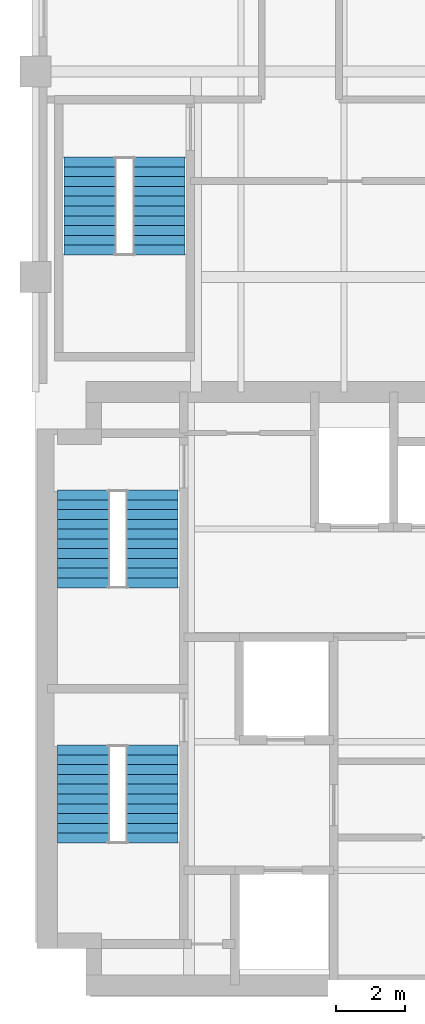
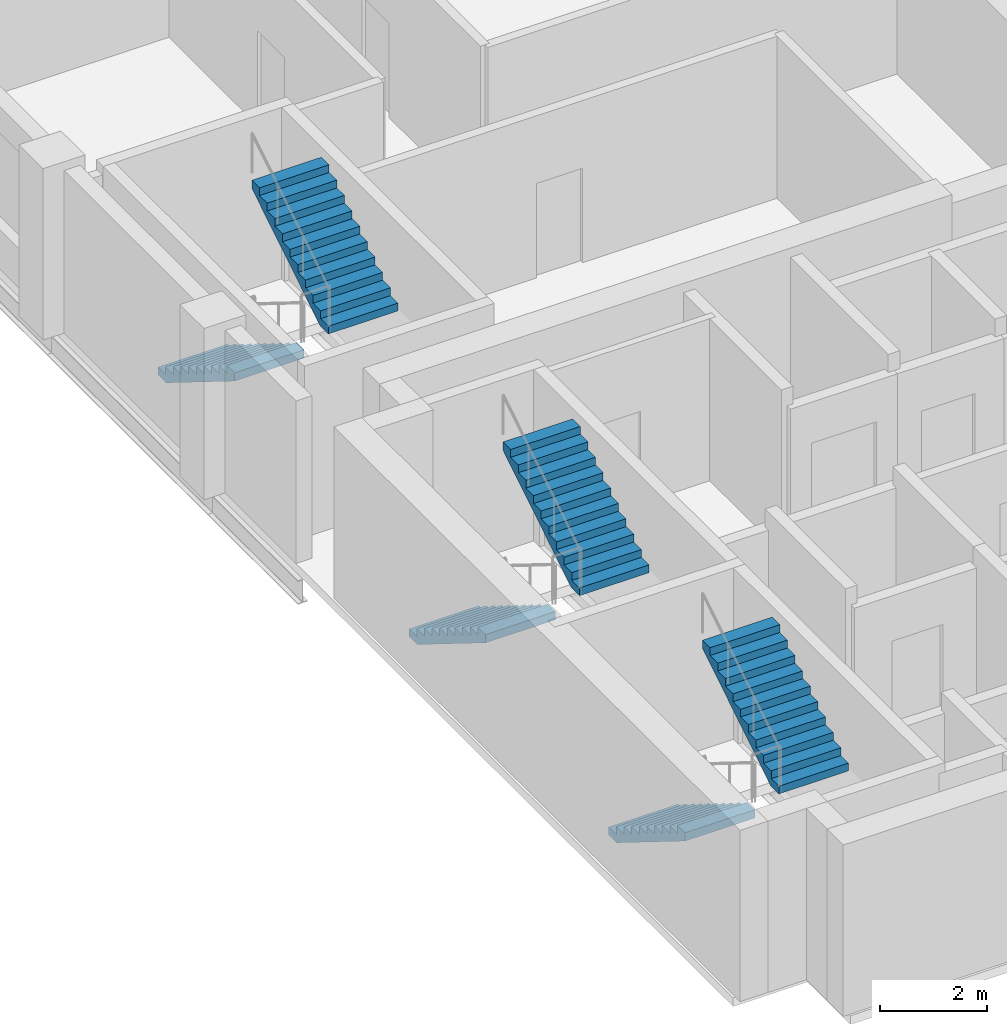
# One storey, part 5 of 6: 6 stair flights, 3 elements without a shape of their own.
"""IFC4 building model written with IfcOpenShell, lengths in metres."""

from ifc_helpers import new_model, si_unit, direction, frame, origin, place, context, subcontext, project, spatial, polyline, outline, extrude, material, type_object, element, aggregate, save


model = new_model("IFC4")

# Units and contexts
model_context = context("Model", 3, precision=1e-05, world=origin(), true_north=direction((0.0, 1.0)))
body_context = subcontext(model_context, "Body", "Model", "MODEL_VIEW")
ifc_project = project(units=[si_unit("LENGTHUNIT", "METRE"), si_unit("AREAUNIT", "SQUARE_METRE"), si_unit("VOLUMEUNIT", "CUBIC_METRE"), si_unit("PLANEANGLEUNIT", "RADIAN"), si_unit("MASSUNIT", "GRAM", prefix="KILO")], contexts=[model_context])

# Site, building, storey
site_placement = place(None, origin())
site = spatial("IfcSite", under=ifc_project, at=site_placement, CompositionType="ELEMENT")
building_placement = place(site_placement, origin())
building = spatial("IfcBuilding", under=site, at=building_placement, Name="Mawjdan Bourse Tower", CompositionType="ELEMENT")
storey_placement = place(building_placement, frame((0.0, 0.0, 183.89990234375)))
storey = spatial("IfcBuildingStorey", under=building, at=storey_placement, Name="L44", CompositionType="ELEMENT", Elevation=183.89990234375)

# Stair, stair flights
ifc_material = material(Name="Concrete C50/60", Category="concrete")
stair_type = type_object("IfcStairType", Name="STR-CORE-1500", PredefinedType="HALF_TURN_STAIR", material=ifc_material)
stair_1_placement = place(storey_placement, origin())
stair_1 = element("IfcStair", 1, at=stair_1_placement, inside=storey, type_object=stair_type, Name="L44 Exit Stair 1 (Core South-West)", PredefinedType="HALF_TURN_STAIR")
stair_flight_type = type_object("IfcStairFlightType", Name="SFL-RC-1500", PredefinedType="STRAIGHT", material=ifc_material)
stair_flight_1_placement = place(storey_placement, frame((7.389892578125, 10.35009765625, 0.0), z_axis=(0.0, 0.0, 1.0), x_axis=(0.0, -1.0, 0.0)))
stair_flight_1 = element("IfcStairFlight", 2, at=stair_flight_1_placement, type_object=stair_flight_type, Name="ST1-L44 flight 1", NumberOfRisers=11, NumberOfTreads=10, PredefinedType="STRAIGHT", RiserHeight=0.177273, TreadLength=0.285, context=body_context, shape_type="SweptSolid", body=[
    extrude(outline(polyline([(0.0, 0.0), (0.0, 0.17724609375), (0.284912109375, 0.17724609375), (0.284912109375, 0.3544921875), (0.570068359375, 0.3544921875), (0.570068359375, 0.53173828125), (0.85498046875, 0.53173828125), (0.85498046875, 0.708984375), (1.139892578125, 0.708984375), (1.139892578125, 0.886474609375), (1.425048828125, 0.886474609375), (1.425048828125, 1.063720703125), (1.7099609375, 1.063720703125), (1.7099609375, 1.240966796875), (1.9951171875, 1.240966796875), (1.9951171875, 1.418212890625), (2.280029296875, 1.418212890625), (2.280029296875, 1.595458984375), (2.56494140625, 1.595458984375), (2.56494140625, 1.772705078125), (2.85009765625, 1.772705078125), (2.85009765625, 1.949951171875), (2.85009765625, 1.58447265625), (0.302734375, 0.0), (0.0, 0.0)])), frame((0.0, 0.75, 0.0), z_axis=(0.0, -1.0, 0.0), x_axis=(1.0, 0.0, 0.0)), (0.0, 0.0, 1.0), 1.5),
])
stair_flight_2_placement = place(storey_placement, frame((9.409912109375, 7.5, 1.9501953125), z_axis=(0.0, 0.0, 1.0), x_axis=(0.0, 1.0, 0.0)))
stair_flight_2 = element("IfcStairFlight", 3, at=stair_flight_2_placement, type_object=stair_flight_type, Name="ST1-L44 flight 2", NumberOfRisers=11, NumberOfTreads=10, PredefinedType="STRAIGHT", RiserHeight=0.177273, TreadLength=0.285, context=body_context, shape_type="SweptSolid", body=[
    extrude(outline(polyline([(0.0, 0.0), (0.0, 0.17724609375), (0.284912109375, 0.17724609375), (0.284912109375, 0.3544921875), (0.570068359375, 0.3544921875), (0.570068359375, 0.53173828125), (0.85498046875, 0.53173828125), (0.85498046875, 0.708984375), (1.139892578125, 0.708984375), (1.139892578125, 0.886474609375), (1.425048828125, 0.886474609375), (1.425048828125, 1.063720703125), (1.7099609375, 1.063720703125), (1.7099609375, 1.240966796875), (1.9951171875, 1.240966796875), (1.9951171875, 1.418212890625), (2.280029296875, 1.418212890625), (2.280029296875, 1.595458984375), (2.56494140625, 1.595458984375), (2.56494140625, 1.772705078125), (2.85009765625, 1.772705078125), (2.85009765625, 1.949951171875), (2.85009765625, 1.58447265625), (0.302734375, 0.0), (0.0, 0.0)])), frame((0.0, 0.75, 0.0), z_axis=(0.0, -1.0, 0.0), x_axis=(1.0, 0.0, 0.0)), (0.0, 0.0, 1.0), 1.5),
])
aggregate(stair_1, [stair_flight_1, stair_flight_2])

stair_2_placement = place(storey_placement, origin())
stair_2 = element("IfcStair", 4, at=stair_2_placement, inside=storey, type_object=stair_type, Name="L44 Exit Stair 2 (Core North-West)", PredefinedType="HALF_TURN_STAIR")
stair_flight_3_placement = place(storey_placement, frame((7.389892578125, 17.7900390625, 0.0), z_axis=(0.0, 0.0, 1.0), x_axis=(0.0, -1.0, 0.0)))
stair_flight_3 = element("IfcStairFlight", 5, at=stair_flight_3_placement, type_object=stair_flight_type, Name="ST2-L44 flight 1", NumberOfRisers=11, NumberOfTreads=10, PredefinedType="STRAIGHT", RiserHeight=0.177273, TreadLength=0.285, context=body_context, shape_type="SweptSolid", body=[
    extrude(outline(polyline([(0.0, 0.0), (0.0, 0.17724609375), (0.284912109375, 0.17724609375), (0.284912109375, 0.3544921875), (0.570068359375, 0.3544921875), (0.570068359375, 0.53173828125), (0.85498046875, 0.53173828125), (0.85498046875, 0.708984375), (1.139892578125, 0.708984375), (1.139892578125, 0.886474609375), (1.425048828125, 0.886474609375), (1.425048828125, 1.063720703125), (1.7099609375, 1.063720703125), (1.7099609375, 1.240966796875), (1.9951171875, 1.240966796875), (1.9951171875, 1.418212890625), (2.280029296875, 1.418212890625), (2.280029296875, 1.595458984375), (2.56494140625, 1.595458984375), (2.56494140625, 1.772705078125), (2.85009765625, 1.772705078125), (2.85009765625, 1.949951171875), (2.85009765625, 1.58447265625), (0.302734375, 0.0), (0.0, 0.0)])), frame((0.0, 0.75, 0.0), z_axis=(0.0, -1.0, 0.0), x_axis=(1.0, 0.0, 0.0)), (0.0, 0.0, 1.0), 1.5),
])
stair_flight_4_placement = place(storey_placement, frame((9.409912109375, 14.93994140625, 1.9501953125), z_axis=(0.0, 0.0, 1.0), x_axis=(0.0, 1.0, 0.0)))
stair_flight_4 = element("IfcStairFlight", 6, at=stair_flight_4_placement, type_object=stair_flight_type, Name="ST2-L44 flight 2", NumberOfRisers=11, NumberOfTreads=10, PredefinedType="STRAIGHT", RiserHeight=0.177273, TreadLength=0.285, context=body_context, shape_type="SweptSolid", body=[
    extrude(outline(polyline([(0.0, 0.0), (0.0, 0.17724609375), (0.284912109375, 0.17724609375), (0.284912109375, 0.3544921875), (0.570068359375, 0.3544921875), (0.570068359375, 0.53173828125), (0.85498046875, 0.53173828125), (0.85498046875, 0.708984375), (1.139892578125, 0.708984375), (1.139892578125, 0.886474609375), (1.425048828125, 0.886474609375), (1.425048828125, 1.063720703125), (1.7099609375, 1.063720703125), (1.7099609375, 1.240966796875), (1.9951171875, 1.240966796875), (1.9951171875, 1.418212890625), (2.280029296875, 1.418212890625), (2.280029296875, 1.595458984375), (2.56494140625, 1.595458984375), (2.56494140625, 1.772705078125), (2.85009765625, 1.772705078125), (2.85009765625, 1.949951171875), (2.85009765625, 1.58447265625), (0.302734375, 0.0), (0.0, 0.0)])), frame((0.0, 0.75, 0.0), z_axis=(0.0, -1.0, 0.0), x_axis=(1.0, 0.0, 0.0)), (0.0, 0.0, 1.0), 1.5),
])
aggregate(stair_2, [stair_flight_3, stair_flight_4])

stair_3_placement = place(storey_placement, origin())
stair_3 = element("IfcStair", 7, at=stair_3_placement, inside=storey, type_object=stair_type, Name="L44 Exit Stair 3 (North Wing)", PredefinedType="HALF_TURN_STAIR")
stair_flight_5_placement = place(storey_placement, frame((7.590087890625, 27.5, 0.0), z_axis=(0.0, 0.0, 1.0), x_axis=(0.0, -1.0, 0.0)))
stair_flight_5 = element("IfcStairFlight", 8, at=stair_flight_5_placement, type_object=stair_flight_type, Name="ST3-L44 flight 1", NumberOfRisers=11, NumberOfTreads=10, PredefinedType="STRAIGHT", RiserHeight=0.177273, TreadLength=0.285, context=body_context, shape_type="SweptSolid", body=[
    extrude(outline(polyline([(0.0, 0.0), (0.0, 0.17724609375), (0.284912109375, 0.17724609375), (0.284912109375, 0.3544921875), (0.570068359375, 0.3544921875), (0.570068359375, 0.53173828125), (0.85498046875, 0.53173828125), (0.85498046875, 0.708984375), (1.139892578125, 0.708984375), (1.139892578125, 0.886474609375), (1.425048828125, 0.886474609375), (1.425048828125, 1.063720703125), (1.7099609375, 1.063720703125), (1.7099609375, 1.240966796875), (1.9951171875, 1.240966796875), (1.9951171875, 1.418212890625), (2.280029296875, 1.418212890625), (2.280029296875, 1.595458984375), (2.56494140625, 1.595458984375), (2.56494140625, 1.772705078125), (2.85009765625, 1.772705078125), (2.85009765625, 1.949951171875), (2.85009765625, 1.58447265625), (0.302734375, 0.0), (0.0, 0.0)])), frame((0.0, 0.75, 0.0), z_axis=(0.0, -1.0, 0.0), x_axis=(1.0, 0.0, 0.0)), (0.0, 0.0, 1.0), 1.5),
])
stair_flight_6_placement = place(storey_placement, frame((9.610107421875, 24.64990234375, 1.9501953125), z_axis=(0.0, 0.0, 1.0), x_axis=(0.0, 1.0, 0.0)))
stair_flight_6 = element("IfcStairFlight", 9, at=stair_flight_6_placement, type_object=stair_flight_type, Name="ST3-L44 flight 2", NumberOfRisers=11, NumberOfTreads=10, PredefinedType="STRAIGHT", RiserHeight=0.177273, TreadLength=0.285, context=body_context, shape_type="SweptSolid", body=[
    extrude(outline(polyline([(0.0, 0.0), (0.0, 0.17724609375), (0.284912109375, 0.17724609375), (0.284912109375, 0.3544921875), (0.570068359375, 0.3544921875), (0.570068359375, 0.53173828125), (0.85498046875, 0.53173828125), (0.85498046875, 0.708984375), (1.139892578125, 0.708984375), (1.139892578125, 0.886474609375), (1.425048828125, 0.886474609375), (1.425048828125, 1.063720703125), (1.7099609375, 1.063720703125), (1.7099609375, 1.240966796875), (1.9951171875, 1.240966796875), (1.9951171875, 1.418212890625), (2.280029296875, 1.418212890625), (2.280029296875, 1.595458984375), (2.56494140625, 1.595458984375), (2.56494140625, 1.772705078125), (2.85009765625, 1.772705078125), (2.85009765625, 1.949951171875), (2.85009765625, 1.58447265625), (0.302734375, 0.0), (0.0, 0.0)])), frame((0.0, 0.75, 0.0), z_axis=(0.0, -1.0, 0.0), x_axis=(1.0, 0.0, 0.0)), (0.0, 0.0, 1.0), 1.5),
])
aggregate(stair_3, [stair_flight_5, stair_flight_6])

save(model, "model.ifc")
